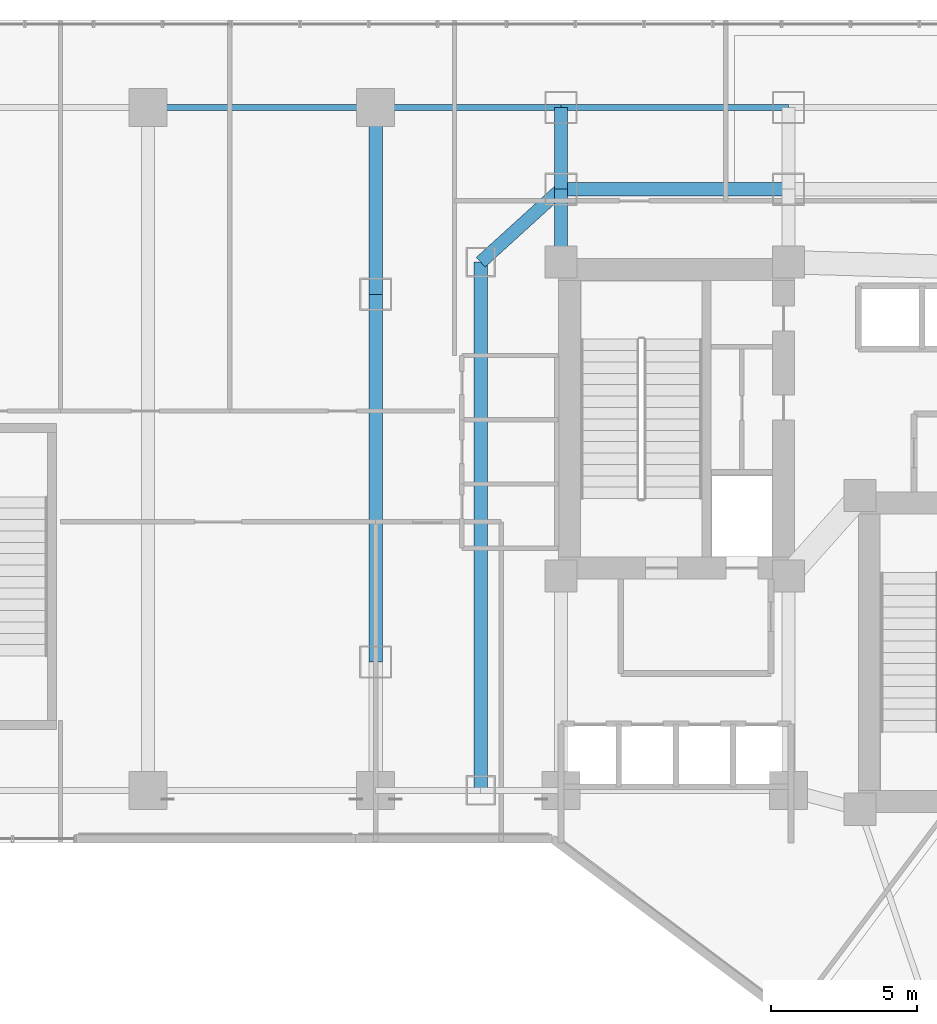
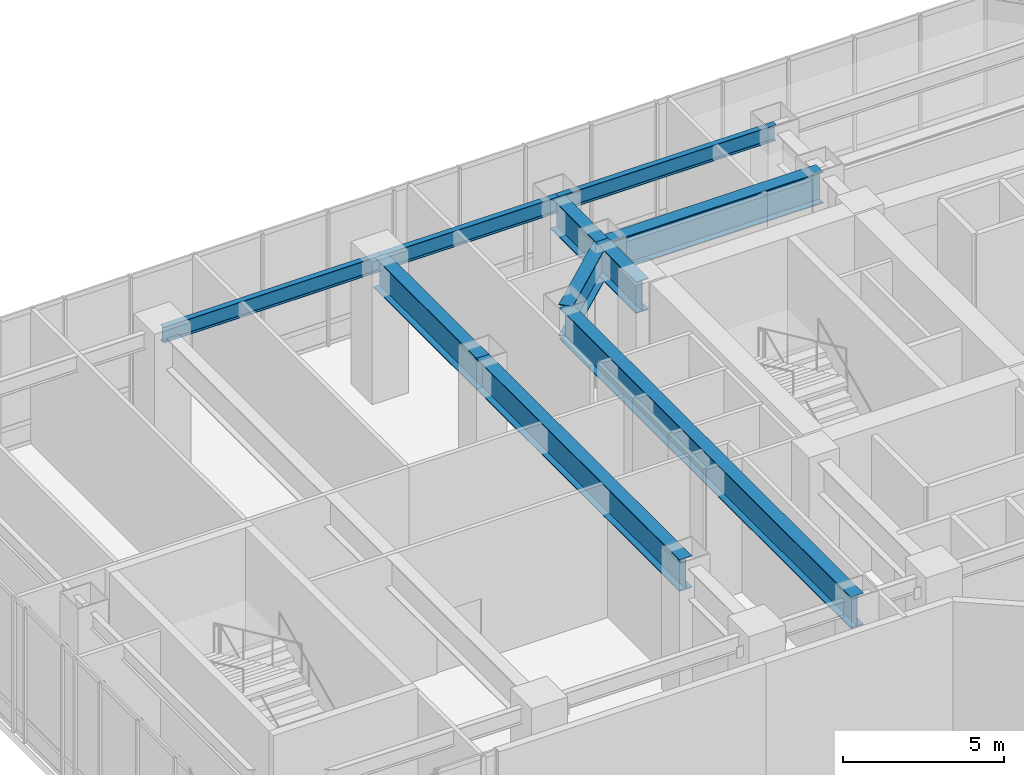
# One storey, part 15 of 35: 10 beams.
"""IFC4 building model written with IfcOpenShell, lengths in metres."""

import ifcopenshell
import ifcopenshell.guid

model = None  # the IFC model being written
_history = None  # IfcOwnerHistory: only IFC2X3 demands one
_inside = {}  # id of a spatial element -> (the spatial element, [elements in it])
_under = {}  # id of a project, library or spatial element -> (it, [spatial elements below it])
_declared = {}  # id of a project -> (the project, [libraries it declares])
_typed = {}  # id of a type object -> (the type object, [elements of that type])
_made_of = {}  # id of a material, layer set ... -> (it, [elements and type objects made of it])


def new_model(schema):
    """Start an empty IFC model of exactly this schema.

    Asked for "IFC4X3", IfcOpenShell would pick the latest addendum, in which some entities
    have other attributes; the version numbers below select the first issue.
    IFC2X3 requires an IfcOwnerHistory on every rooted entity: one is made here for all.
    """
    global model, _history
    if schema == "IFC4X3":
        model = ifcopenshell.file(schema_version=(4, 3, 0, 0))
    else:
        model = ifcopenshell.file(schema=schema)
    _inside.clear()
    _under.clear()
    _declared.clear()
    _typed.clear()
    _made_of.clear()
    _history = None
    if model.schema == "IFC2X3":
        org = make("IfcOrganization", Name="unknown")
        user = make(
            "IfcPersonAndOrganization",
            ThePerson=make("IfcPerson", FamilyName="unknown"),
            TheOrganization=org,
        )
        app = make(
            "IfcApplication",
            ApplicationDeveloper=org,
            Version="unknown",
            ApplicationFullName="unknown",
            ApplicationIdentifier="unknown",
        )
        _history = make(
            "IfcOwnerHistory",
            OwningUser=user,
            OwningApplication=app,
            ChangeAction="ADDED",
            CreationDate=0,
        )
    return model


def make(cls, **values):
    """One entity of the class cls with the attributes given. An attribute that is None is left unset."""
    return model.create_entity(
        cls, **{name: value for name, value in values.items() if value is not None}
    )


def rooted(cls, **values):
    """An entity with a GlobalId (a new one), such as an element, a storey or a relation."""
    return make(cls, GlobalId=ifcopenshell.guid.new(), OwnerHistory=_history, **values)


def si_unit(unit_type, name, prefix=None):
    """IfcSIUnit, for example si_unit("LENGTHUNIT", "METRE", prefix="MILLI")."""
    return make("IfcSIUnit", UnitType=unit_type, Prefix=prefix, Name=name)


def assignment(units):
    """IfcUnitAssignment: the units of a project."""
    return None if units is None else make("IfcUnitAssignment", Units=units)


def point(xyz):
    """IfcCartesianPoint."""
    return None if xyz is None else make("IfcCartesianPoint", Coordinates=xyz)


def direction(xyz):
    """IfcDirection."""
    return None if xyz is None else make("IfcDirection", DirectionRatios=xyz)


def frame(location, z_axis=None, x_axis=None):
    """IfcAxis2Placement3D, a coordinate frame: its origin and axes. An axis left out is left unset."""
    return make(
        "IfcAxis2Placement3D",
        Location=point(location),
        Axis=direction(z_axis),
        RefDirection=direction(x_axis),
    )


def frame_2d(location, x_axis=None):
    """IfcAxis2Placement2D, a coordinate frame in the plane: its origin and x axis."""
    return make(
        "IfcAxis2Placement2D", Location=point(location), RefDirection=direction(x_axis)
    )


def origin():
    """The frame at (0, 0, 0) with its axes left unset."""
    return frame((0.0, 0.0, 0.0))


def origin_2d():
    """The frame at (0, 0) in the plane with its x axis left unset."""
    return frame_2d((0.0, 0.0))


def place(relative_to, where):
    """IfcLocalPlacement: puts the frame where relative to a parent placement (None: the world)."""
    return make(
        "IfcLocalPlacement", PlacementRelTo=relative_to, RelativePlacement=where
    )


def context(
    kind, dimensions, precision=None, world=None, true_north=None, identifier=None
):
    """IfcGeometricRepresentationContext, for example the 3D "Model" context."""
    return make(
        "IfcGeometricRepresentationContext",
        ContextIdentifier=identifier,
        ContextType=kind,
        CoordinateSpaceDimension=dimensions,
        Precision=precision,
        WorldCoordinateSystem=world,
        TrueNorth=true_north,
    )


def subcontext(parent, identifier, kind, view, scale=None):
    """IfcGeometricRepresentationSubContext, for example "Body" below "Model"."""
    return make(
        "IfcGeometricRepresentationSubContext",
        ContextIdentifier=identifier,
        ContextType=kind,
        ParentContext=parent,
        TargetScale=scale,
        TargetView=view,
    )


def project(units=None, contexts=None):
    """IfcProject with its units and contexts."""
    return rooted(
        "IfcProject",
        Name="project",
        RepresentationContexts=contexts,
        UnitsInContext=assignment(units),
    )


def spatial(cls, under=None, at=None, **own):
    """A site, building, storey or space (cls), placed at a placement, below another one or the project."""
    s = rooted(cls, ObjectPlacement=at, **own)
    if under is not None:
        _under.setdefault(under.id(), (under, []))[1].append(s)
    return s


def profile(cls, at=None, kind="AREA", **sizes):
    """A parametric profile (cls). Its sizes go by their IFC names, for example OverallWidth=200.0."""
    return make(cls, ProfileType=kind, Position=at, **sizes)


def i_section(**sizes):
    """IfcIShapeProfileDef."""
    return profile("IfcIShapeProfileDef", **sizes)


def extrude(swept, where, along, depth):
    """IfcExtrudedAreaSolid: the profile swept, set in the frame where, extruded along a direction by depth."""
    return make(
        "IfcExtrudedAreaSolid",
        SweptArea=swept,
        Position=where,
        ExtrudedDirection=direction(along),
        Depth=depth,
    )


def shape(context_of_items, identifier, shape_type, items):
    """IfcShapeRepresentation: the items that make up one representation, for example the "Body"."""
    return make(
        "IfcShapeRepresentation",
        ContextOfItems=context_of_items,
        RepresentationIdentifier=identifier,
        RepresentationType=shape_type,
        Items=items,
    )


def material(Name=None, Category=None):
    """IfcMaterial."""
    return make("IfcMaterial", Name=Name, Category=Category)


def material_profile(
    of_material, cross_section, Name=None, Category=None, Priority=None
):
    """IfcMaterialProfile: a cross section and its material."""
    return make(
        "IfcMaterialProfile",
        Name=Name,
        Material=of_material,
        Profile=cross_section,
        Priority=Priority,
        Category=Category,
    )


def profile_set(profiles, Name=None, composite=None):
    """IfcMaterialProfileSet."""
    return make(
        "IfcMaterialProfileSet",
        Name=Name,
        MaterialProfiles=profiles,
        CompositeProfile=composite,
    )


def made_of(thing, what):
    """Note that an element or type object is made of a material, layer set ...; save() writes the relation."""
    if what is not None:
        _made_of.setdefault(what.id(), (what, []))[1].append(thing)
    return thing


def type_object(cls, material=None, **own):
    """A type object (cls), such as IfcWallType, which elements share."""
    return made_of(rooted(cls, **own), material)


def element(
    cls,
    number,
    at=None,
    inside=None,
    cuts=None,
    type_object=None,
    material=None,
    context=None,
    identifier="Body",
    shape_type=None,
    held_by="IfcProductDefinitionShape",
    body=None,
    shapes=None,
    **own,
):
    """One element of the class cls, such as IfcWall. Its Tag is "e" and its number.

    at: its placement. inside: the storey or other place that contains it. cuts: it is an
    opening in that element (IfcRelVoidsElement). A single representation is given by context,
    identifier, shape_type and body (its items); several are given by shapes. held_by: the class
    of the entity that holds the representations. save() writes the other relations.
    """
    e = rooted(cls, Tag="e%d" % number, ObjectPlacement=at, **own)
    if body is not None:
        shapes = [shape(context, identifier, shape_type, body)]
    if shapes is not None:
        e.Representation = make(held_by, Representations=shapes)
    if inside is not None:
        _inside.setdefault(inside.id(), (inside, []))[1].append(e)
    if cuts is not None:
        rooted(
            "IfcRelVoidsElement", RelatingBuildingElement=cuts, RelatedOpeningElement=e
        )
    if type_object is not None:
        _typed.setdefault(type_object.id(), (type_object, []))[1].append(e)
    return made_of(e, material)


def aggregate(whole, parts):
    """IfcRelAggregates: a whole, such as a stair, and the parts it consists of."""
    return rooted("IfcRelAggregates", RelatingObject=whole, RelatedObjects=parts)


def save(model, path):
    """Write the relations noted so far, then the file.

    IfcRelAggregates (storeys below a building ...), IfcRelContainedInSpatialStructure (elements
    in a storey), IfcRelDefinesByType, IfcRelAssociatesMaterial and IfcRelDeclares: one each for
    every whole, place, type object, material and project.
    """
    for whole, parts in _under.values():
        aggregate(whole, parts)
    for where, things in _inside.values():
        rooted(
            "IfcRelContainedInSpatialStructure",
            RelatedElements=things,
            RelatingStructure=where,
        )
    for kind, things in _typed.values():
        rooted("IfcRelDefinesByType", RelatedObjects=things, RelatingType=kind)
    for what, things in _made_of.values():
        rooted("IfcRelAssociatesMaterial", RelatedObjects=things, RelatingMaterial=what)
    for by, libraries in _declared.values():
        rooted("IfcRelDeclares", RelatingContext=by, RelatedDefinitions=libraries)
    model.write(path)


model = new_model("IFC4")

# Units and contexts
model_context = context("Model", 3, precision=1e-05, world=origin(), true_north=direction((0.0, 1.0)))
body_context = subcontext(model_context, "Body", "Model", "MODEL_VIEW")
ifc_project = project(units=[si_unit("LENGTHUNIT", "METRE"), si_unit("AREAUNIT", "SQUARE_METRE"), si_unit("VOLUMEUNIT", "CUBIC_METRE"), si_unit("PLANEANGLEUNIT", "RADIAN"), si_unit("MASSUNIT", "GRAM", prefix="KILO")], contexts=[model_context])

# Site, building, storey
site_placement = place(None, origin())
site = spatial("IfcSite", under=ifc_project, at=site_placement, CompositionType="ELEMENT")
building_placement = place(site_placement, origin())
building = spatial("IfcBuilding", under=site, at=building_placement, Name="Hatsunagi Terrace Concourse", CompositionType="ELEMENT")
storey_placement = place(building_placement, frame((0.0, 0.0, 16.199951171875)))
storey = spatial("IfcBuildingStorey", under=building, at=storey_placement, Name="L04", CompositionType="ELEMENT", Elevation=16.199951171875)

# Beams
ifc_material_1 = material(Name="Steel SN490B", Category="steel")
ifc_material_profile_1 = material_profile(ifc_material_1, i_section(OverallWidth=0.199951171875, OverallDepth=0.60009765625, WebThickness=0.010986328125, FlangeThickness=0.01708984375, FilletRadius=0.01806640625, at=origin_2d()), Name="H-600x200x11x17")
ifc_profile_set_1 = profile_set([ifc_material_profile_1], Name="Steel SN490B")
beam_type_1 = type_object("IfcBeamType", Name="PerimeterSpandrel_H_600x200", PredefinedType="SPANDREL", material=ifc_profile_set_1)
beam_1_placement = place(storey_placement, frame((11.39990234375, 48.60009765625, 4.800048828125), z_axis=(1.0, 0.0, 0.0), x_axis=(0.0, 1.0, 0.0)))
element("IfcBeam", 1, at=beam_1_placement, inside=storey, type_object=beam_type_1, Name="Beam SP-01 BM-L04-WN-11", PredefinedType="SPANDREL", context=body_context, shape_type="SweptSolid", body=[
    extrude(i_section(OverallWidth=0.199951171875, OverallDepth=0.60009765625, WebThickness=0.010986328125, FlangeThickness=0.01708984375, FilletRadius=0.01806640625, at=origin_2d()), origin(), (0.0, 0.0, 1.0), 7.800048828125),
])
beam_2_placement = place(storey_placement, frame((19.199951171875, 48.60009765625, 4.800048828125), z_axis=(1.0, 0.0, 0.0), x_axis=(0.0, 1.0, 0.0)))
element("IfcBeam", 2, at=beam_2_placement, inside=storey, type_object=beam_type_1, Name="Beam SP-01 BM-L04-WN-19", PredefinedType="SPANDREL", context=body_context, shape_type="SweptSolid", body=[
    extrude(i_section(OverallWidth=0.199951171875, OverallDepth=0.60009765625, WebThickness=0.010986328125, FlangeThickness=0.01708984375, FilletRadius=0.01806640625, at=origin_2d()), origin(), (0.0, 0.0, 1.0), 6.35009765625),
])
beam_3_placement = place(storey_placement, frame((25.550048828125, 48.60009765625, 4.800048828125), z_axis=(1.0, 0.0, 0.0), x_axis=(0.0, 1.0, 0.0)))
element("IfcBeam", 3, at=beam_3_placement, inside=storey, type_object=beam_type_1, Name="Beam SP-01 BM-L04-WN-25", PredefinedType="SPANDREL", context=body_context, shape_type="SweptSolid", body=[
    extrude(i_section(OverallWidth=0.199951171875, OverallDepth=0.60009765625, WebThickness=0.010986328125, FlangeThickness=0.01708984375, FilletRadius=0.01806640625, at=origin_2d()), origin(), (0.0, 0.0, 1.0), 7.800048828125),
])
ifc_material_2 = material(Name="Steel SN490B", Category="steel")
ifc_material_profile_2 = material_profile(ifc_material_2, i_section(OverallWidth=0.449951171875, OverallDepth=1.199951171875, WebThickness=0.02490234375, FlangeThickness=0.035888671875, at=origin_2d()), Name="BH-1200x450x25x36")
ifc_profile_set_2 = profile_set([ifc_material_profile_2], Name="Steel SN490B")
beam_type_2 = type_object("IfcBeamType", Name="PodiumHallGirder_BH_1200x450x25x36", PredefinedType="BEAM", material=ifc_profile_set_2)
beam_4_placement = place(storey_placement, frame((25.550048828125, 43.300048828125, 4.5), z_axis=(0.0, 1.0, 0.0), x_axis=(-1.0, 0.0, 0.0)))
element("IfcBeam", 4, at=beam_4_placement, inside=storey, type_object=beam_type_2, Name="Beam G-01 BM-L04-CN1", PredefinedType="BEAM", context=body_context, shape_type="SweptSolid", body=[
    extrude(i_section(OverallWidth=0.449951171875, OverallDepth=1.199951171875, WebThickness=0.02490234375, FlangeThickness=0.035888671875, at=origin_2d()), origin(), (0.0, 0.0, 1.0), 2.5),
])
beam_5_placement = place(storey_placement, frame((25.550048828125, 45.800048828125, 4.5), z_axis=(1.0, 0.0, 0.0), x_axis=(0.0, 1.0, 0.0)))
element("IfcBeam", 5, at=beam_5_placement, inside=storey, type_object=beam_type_2, Name="Beam G-01 BM-L04-CNEW1", PredefinedType="BEAM", context=body_context, shape_type="SweptSolid", body=[
    extrude(i_section(OverallWidth=0.449951171875, OverallDepth=1.199951171875, WebThickness=0.02490234375, FlangeThickness=0.035888671875, at=origin_2d()), origin(), (0.0, 0.0, 1.0), 7.800048828125),
])
beam_6_placement = place(storey_placement, frame((25.550048828125, 45.800048828125, 4.5), z_axis=(0.0, 1.0, 0.0), x_axis=(-1.0, 0.0, 0.0)))
element("IfcBeam", 6, at=beam_6_placement, inside=storey, type_object=beam_type_2, Name="Beam G-01 BM-L04-KN-WN4", PredefinedType="BEAM", context=body_context, shape_type="SweptSolid", body=[
    extrude(i_section(OverallWidth=0.449951171875, OverallDepth=1.199951171875, WebThickness=0.02490234375, FlangeThickness=0.035888671875, at=origin_2d()), origin(), (0.0, 0.0, 1.0), 2.800048828125),
])
beam_7_placement = place(storey_placement, frame((22.800048828125, 25.199951171875, 4.5), z_axis=(0.0, 1.0, 0.0), x_axis=(-1.0, 0.0, 0.0)))
element("IfcBeam", 7, at=beam_7_placement, inside=storey, type_object=beam_type_2, Name="Beam G-01 BM-L04-CWNS", PredefinedType="BEAM", context=body_context, shape_type="SweptSolid", body=[
    extrude(i_section(OverallWidth=0.449951171875, OverallDepth=1.199951171875, WebThickness=0.02490234375, FlangeThickness=0.035888671875, at=origin_2d()), origin(), (0.0, 0.0, 1.0), 18.10009765625),
])
beam_8_placement = place(storey_placement, frame((22.800048828125, 43.300048828125, 4.5), z_axis=(0.739940073396, 0.672672793996, 0.0), x_axis=(-0.672672793996, 0.739940073396, 0.0)))
element("IfcBeam", 8, at=beam_8_placement, inside=storey, type_object=beam_type_2, Name="Beam G-01 BM-L04-CWEW-N", PredefinedType="BEAM", context=body_context, shape_type="SweptSolid", body=[
    extrude(i_section(OverallWidth=0.449951171875, OverallDepth=1.199951171875, WebThickness=0.02490234375, FlangeThickness=0.035888671875, at=origin_2d()), origin(), (0.0, 0.0, 1.0), 3.716552734375),
])
beam_9_placement = place(storey_placement, frame((19.199951171875, 29.60009765625, 4.5), z_axis=(0.0, 1.0, 0.0), x_axis=(-1.0, 0.0, 0.0)))
element("IfcBeam", 9, at=beam_9_placement, inside=storey, type_object=beam_type_2, Name="Beam G-01 BM-L04-NS-19-29", PredefinedType="BEAM", context=body_context, shape_type="SweptSolid", body=[
    extrude(i_section(OverallWidth=0.449951171875, OverallDepth=1.199951171875, WebThickness=0.02490234375, FlangeThickness=0.035888671875, at=origin_2d()), origin(), (0.0, 0.0, 1.0), 12.599853515625),
])
beam_10_placement = place(storey_placement, frame((19.199951171875, 42.199951171875, 4.5), z_axis=(0.0, 1.0, 0.0), x_axis=(-1.0, 0.0, 0.0)))
element("IfcBeam", 10, at=beam_10_placement, inside=storey, type_object=beam_type_2, Name="Beam G-01 BM-L04-NS-19-42", PredefinedType="BEAM", context=body_context, shape_type="SweptSolid", body=[
    extrude(i_section(OverallWidth=0.449951171875, OverallDepth=1.199951171875, WebThickness=0.02490234375, FlangeThickness=0.035888671875, at=origin_2d()), origin(), (0.0, 0.0, 1.0), 6.400146484375),
])

save(model, "model.ifc")
